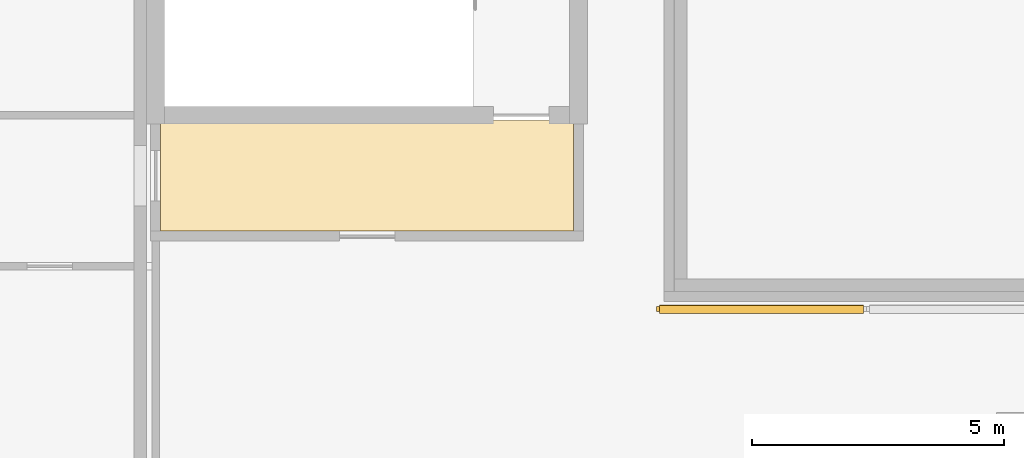
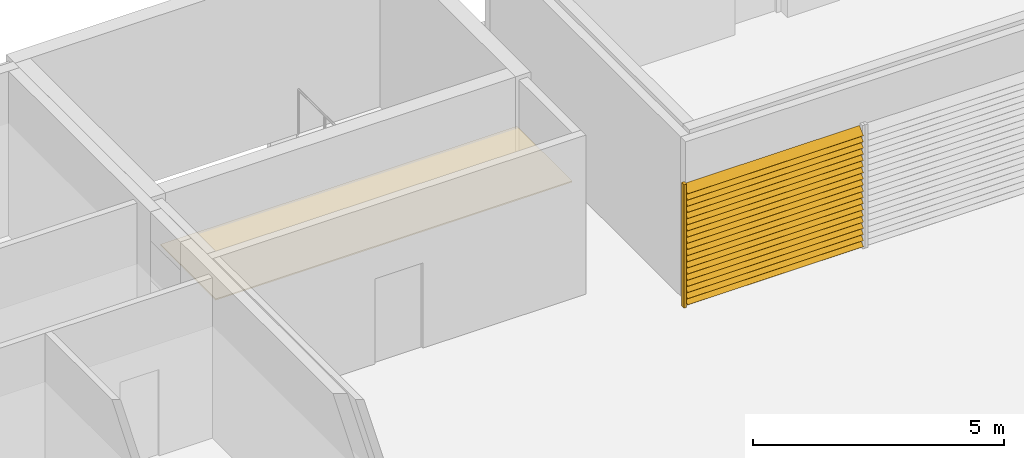
# One storey, part 10 of 13: 20 shading devices, 1 covering.
"""IFC4 building model written with IfcOpenShell, lengths in metres."""

import ifcopenshell
import ifcopenshell.guid

model = None  # the IFC model being written
_history = None  # IfcOwnerHistory: only IFC2X3 demands one
_inside = {}  # id of a spatial element -> (the spatial element, [elements in it])
_under = {}  # id of a project, library or spatial element -> (it, [spatial elements below it])
_declared = {}  # id of a project -> (the project, [libraries it declares])
_typed = {}  # id of a type object -> (the type object, [elements of that type])
_made_of = {}  # id of a material, layer set ... -> (it, [elements and type objects made of it])


def new_model(schema):
    """Start an empty IFC model of exactly this schema.

    Asked for "IFC4X3", IfcOpenShell would pick the latest addendum, in which some entities
    have other attributes; the version numbers below select the first issue.
    IFC2X3 requires an IfcOwnerHistory on every rooted entity: one is made here for all.
    """
    global model, _history
    if schema == "IFC4X3":
        model = ifcopenshell.file(schema_version=(4, 3, 0, 0))
    else:
        model = ifcopenshell.file(schema=schema)
    _inside.clear()
    _under.clear()
    _declared.clear()
    _typed.clear()
    _made_of.clear()
    _history = None
    if model.schema == "IFC2X3":
        org = make("IfcOrganization", Name="unknown")
        user = make(
            "IfcPersonAndOrganization",
            ThePerson=make("IfcPerson", FamilyName="unknown"),
            TheOrganization=org,
        )
        app = make(
            "IfcApplication",
            ApplicationDeveloper=org,
            Version="unknown",
            ApplicationFullName="unknown",
            ApplicationIdentifier="unknown",
        )
        _history = make(
            "IfcOwnerHistory",
            OwningUser=user,
            OwningApplication=app,
            ChangeAction="ADDED",
            CreationDate=0,
        )
    return model


def make(cls, **values):
    """One entity of the class cls with the attributes given. An attribute that is None is left unset."""
    return model.create_entity(
        cls, **{name: value for name, value in values.items() if value is not None}
    )


def rooted(cls, **values):
    """An entity with a GlobalId (a new one), such as an element, a storey or a relation."""
    return make(cls, GlobalId=ifcopenshell.guid.new(), OwnerHistory=_history, **values)


def si_unit(unit_type, name, prefix=None):
    """IfcSIUnit, for example si_unit("LENGTHUNIT", "METRE", prefix="MILLI")."""
    return make("IfcSIUnit", UnitType=unit_type, Prefix=prefix, Name=name)


def assignment(units):
    """IfcUnitAssignment: the units of a project."""
    return None if units is None else make("IfcUnitAssignment", Units=units)


def point(xyz):
    """IfcCartesianPoint."""
    return None if xyz is None else make("IfcCartesianPoint", Coordinates=xyz)


def direction(xyz):
    """IfcDirection."""
    return None if xyz is None else make("IfcDirection", DirectionRatios=xyz)


def frame(location, z_axis=None, x_axis=None):
    """IfcAxis2Placement3D, a coordinate frame: its origin and axes. An axis left out is left unset."""
    return make(
        "IfcAxis2Placement3D",
        Location=point(location),
        Axis=direction(z_axis),
        RefDirection=direction(x_axis),
    )


def frame_2d(location, x_axis=None):
    """IfcAxis2Placement2D, a coordinate frame in the plane: its origin and x axis."""
    return make(
        "IfcAxis2Placement2D", Location=point(location), RefDirection=direction(x_axis)
    )


def origin():
    """The frame at (0, 0, 0) with its axes left unset."""
    return frame((0.0, 0.0, 0.0))


def origin_2d():
    """The frame at (0, 0) in the plane with its x axis left unset."""
    return frame_2d((0.0, 0.0))


def place(relative_to, where):
    """IfcLocalPlacement: puts the frame where relative to a parent placement (None: the world)."""
    return make(
        "IfcLocalPlacement", PlacementRelTo=relative_to, RelativePlacement=where
    )


def context(
    kind, dimensions, precision=None, world=None, true_north=None, identifier=None
):
    """IfcGeometricRepresentationContext, for example the 3D "Model" context."""
    return make(
        "IfcGeometricRepresentationContext",
        ContextIdentifier=identifier,
        ContextType=kind,
        CoordinateSpaceDimension=dimensions,
        Precision=precision,
        WorldCoordinateSystem=world,
        TrueNorth=true_north,
    )


def subcontext(parent, identifier, kind, view, scale=None):
    """IfcGeometricRepresentationSubContext, for example "Body" below "Model"."""
    return make(
        "IfcGeometricRepresentationSubContext",
        ContextIdentifier=identifier,
        ContextType=kind,
        ParentContext=parent,
        TargetScale=scale,
        TargetView=view,
    )


def project(units=None, contexts=None):
    """IfcProject with its units and contexts."""
    return rooted(
        "IfcProject",
        Name="project",
        RepresentationContexts=contexts,
        UnitsInContext=assignment(units),
    )


def spatial(cls, under=None, at=None, **own):
    """A site, building, storey or space (cls), placed at a placement, below another one or the project."""
    s = rooted(cls, ObjectPlacement=at, **own)
    if under is not None:
        _under.setdefault(under.id(), (under, []))[1].append(s)
    return s


def polyline(points):
    """IfcPolyline through the points."""
    return make("IfcPolyline", Points=[point(p) for p in points])


def profile(cls, at=None, kind="AREA", **sizes):
    """A parametric profile (cls). Its sizes go by their IFC names, for example OverallWidth=200.0."""
    return make(cls, ProfileType=kind, Position=at, **sizes)


def rectangle(**sizes):
    """IfcRectangleProfileDef."""
    return profile("IfcRectangleProfileDef", **sizes)


def outline(outer, holes=None, kind="AREA"):
    """IfcArbitraryClosedProfileDef: a profile drawn as a closed curve; with holes, ...WithVoids."""
    if holes is None:
        return make("IfcArbitraryClosedProfileDef", ProfileType=kind, OuterCurve=outer)
    return make(
        "IfcArbitraryProfileDefWithVoids",
        ProfileType=kind,
        OuterCurve=outer,
        InnerCurves=holes,
    )


def extrude(swept, where, along, depth):
    """IfcExtrudedAreaSolid: the profile swept, set in the frame where, extruded along a direction by depth."""
    return make(
        "IfcExtrudedAreaSolid",
        SweptArea=swept,
        Position=where,
        ExtrudedDirection=direction(along),
        Depth=depth,
    )


def shape(context_of_items, identifier, shape_type, items):
    """IfcShapeRepresentation: the items that make up one representation, for example the "Body"."""
    return make(
        "IfcShapeRepresentation",
        ContextOfItems=context_of_items,
        RepresentationIdentifier=identifier,
        RepresentationType=shape_type,
        Items=items,
    )


def material(Name=None, Category=None):
    """IfcMaterial."""
    return make("IfcMaterial", Name=Name, Category=Category)


def layer(
    of_material, thickness, ventilated=None, Name=None, Category=None, Priority=None
):
    """IfcMaterialLayer: one layer of a wall or slab, of a material (None: an air gap)."""
    return make(
        "IfcMaterialLayer",
        Material=of_material,
        LayerThickness=thickness,
        IsVentilated=ventilated,
        Name=Name,
        Category=Category,
        Priority=Priority,
    )


def layer_set(layers, Name=None):
    """IfcMaterialLayerSet."""
    return make("IfcMaterialLayerSet", MaterialLayers=layers, LayerSetName=Name)


def material_profile(
    of_material, cross_section, Name=None, Category=None, Priority=None
):
    """IfcMaterialProfile: a cross section and its material."""
    return make(
        "IfcMaterialProfile",
        Name=Name,
        Material=of_material,
        Profile=cross_section,
        Priority=Priority,
        Category=Category,
    )


def profile_set(profiles, Name=None, composite=None):
    """IfcMaterialProfileSet."""
    return make(
        "IfcMaterialProfileSet",
        Name=Name,
        MaterialProfiles=profiles,
        CompositeProfile=composite,
    )


def made_of(thing, what):
    """Note that an element or type object is made of a material, layer set ...; save() writes the relation."""
    if what is not None:
        _made_of.setdefault(what.id(), (what, []))[1].append(thing)
    return thing


def type_object(cls, material=None, **own):
    """A type object (cls), such as IfcWallType, which elements share."""
    return made_of(rooted(cls, **own), material)


def element(
    cls,
    number,
    at=None,
    inside=None,
    cuts=None,
    type_object=None,
    material=None,
    context=None,
    identifier="Body",
    shape_type=None,
    held_by="IfcProductDefinitionShape",
    body=None,
    shapes=None,
    **own,
):
    """One element of the class cls, such as IfcWall. Its Tag is "e" and its number.

    at: its placement. inside: the storey or other place that contains it. cuts: it is an
    opening in that element (IfcRelVoidsElement). A single representation is given by context,
    identifier, shape_type and body (its items); several are given by shapes. held_by: the class
    of the entity that holds the representations. save() writes the other relations.
    """
    e = rooted(cls, Tag="e%d" % number, ObjectPlacement=at, **own)
    if body is not None:
        shapes = [shape(context, identifier, shape_type, body)]
    if shapes is not None:
        e.Representation = make(held_by, Representations=shapes)
    if inside is not None:
        _inside.setdefault(inside.id(), (inside, []))[1].append(e)
    if cuts is not None:
        rooted(
            "IfcRelVoidsElement", RelatingBuildingElement=cuts, RelatedOpeningElement=e
        )
    if type_object is not None:
        _typed.setdefault(type_object.id(), (type_object, []))[1].append(e)
    return made_of(e, material)


def aggregate(whole, parts):
    """IfcRelAggregates: a whole, such as a stair, and the parts it consists of."""
    return rooted("IfcRelAggregates", RelatingObject=whole, RelatedObjects=parts)


def save(model, path):
    """Write the relations noted so far, then the file.

    IfcRelAggregates (storeys below a building ...), IfcRelContainedInSpatialStructure (elements
    in a storey), IfcRelDefinesByType, IfcRelAssociatesMaterial and IfcRelDeclares: one each for
    every whole, place, type object, material and project.
    """
    for whole, parts in _under.values():
        aggregate(whole, parts)
    for where, things in _inside.values():
        rooted(
            "IfcRelContainedInSpatialStructure",
            RelatedElements=things,
            RelatingStructure=where,
        )
    for kind, things in _typed.values():
        rooted("IfcRelDefinesByType", RelatedObjects=things, RelatingType=kind)
    for what, things in _made_of.values():
        rooted("IfcRelAssociatesMaterial", RelatedObjects=things, RelatingMaterial=what)
    for by, libraries in _declared.values():
        rooted("IfcRelDeclares", RelatingContext=by, RelatedDefinitions=libraries)
    model.write(path)


model = new_model("IFC4")

# Units and contexts
model_context = context("Model", 3, precision=1e-05, world=origin(), true_north=direction((0.0, 1.0)))
body_context = subcontext(model_context, "Body", "Model", "MODEL_VIEW")
ifc_project = project(units=[si_unit("LENGTHUNIT", "METRE"), si_unit("AREAUNIT", "SQUARE_METRE"), si_unit("VOLUMEUNIT", "CUBIC_METRE"), si_unit("PLANEANGLEUNIT", "RADIAN"), si_unit("MASSUNIT", "GRAM", prefix="KILO")], contexts=[model_context])

# Site, building, storey
site_placement = place(None, origin())
site = spatial("IfcSite", under=ifc_project, at=site_placement, CompositionType="ELEMENT")
building_placement = place(site_placement, origin())
building = spatial("IfcBuilding", under=site, at=building_placement, Name="Bougainvillea Quay General Hospital", CompositionType="ELEMENT")
storey_placement = place(building_placement, frame((0.0, 0.0, 36.60009765625)))
storey = spatial("IfcBuildingStorey", under=building, at=storey_placement, Name="L08", CompositionType="ELEMENT", Elevation=36.60009765625)

# Shading devices
ifc_material_1 = material(Name="Extruded aluminium louvre frame, powder-coated grey", Category="aluminium")
ifc_material_profile_1 = material_profile(ifc_material_1, rectangle(XDim=0.10009765625, YDim=0.06005859375, at=origin_2d()))
ifc_profile_set_1 = profile_set([ifc_material_profile_1], Name="Extruded aluminium louvre frame, powder-coated grey")
shading_device_type_1 = type_object("IfcShadingDeviceType", Name="Louvre frame post 100x60", PredefinedType="JALOUSIE", material=ifc_profile_set_1)
shading_device_placement = place(storey_placement, frame((144.3798828125, 150.35009765625, 0.02978515625), z_axis=(0.0, 0.0, 1.0), x_axis=(0.0, 1.0, 0.0)))
element("IfcShadingDevice", 1, at=shading_device_placement, inside=storey, type_object=shading_device_type_1, Name="Louvre post V00.1", PredefinedType="JALOUSIE", context=body_context, shape_type="SweptSolid", body=[
    extrude(rectangle(XDim=0.10009765625, YDim=0.06005859375, at=origin_2d()), origin(), (0.0, 0.0, 1.0), 3.0),
])
ifc_material_2 = material(Name="Extruded aluminium storm louvre blade, powder-coated grey", Category="aluminium")
ifc_material_profile_2 = material_profile(ifc_material_2, rectangle(XDim=0.219970703125, YDim=0.014892578125, at=origin_2d()))
ifc_profile_set_2 = profile_set([ifc_material_profile_2], Name="Extruded aluminium storm louvre blade, powder-coated grey")
shading_device_type_2 = type_object("IfcShadingDeviceType", Name="Storm louvre blade 220", PredefinedType="JALOUSIE", material=ifc_profile_set_2)
for number, where, z_axis, x_axis, name in (
    (2, (144.409912109375, 150.35009765625, 0.179931640625), (1.0, 0.0, 0.0), (0.0, 0.707106781187, 0.707106781187), "Storm louvre blade V00.1"),
    (3, (144.409912109375, 150.35009765625, 0.329833984375), (1.0, 0.0, 0.0), (0.0, 0.707106781187, 0.707106781187), "Storm louvre blade V00.2"),
    (4, (144.409912109375, 150.35009765625, 0.47998046875), (1.0, 0.0, 0.0), (0.0, 0.707106781187, 0.707106781187), "Storm louvre blade V00.3"),
    (5, (144.409912109375, 150.35009765625, 0.6298828125), (1.0, 0.0, 0.0), (0.0, 0.707106781187, 0.707106781187), "Storm louvre blade V00.4"),
    (6, (144.409912109375, 150.35009765625, 0.77978515625), (1.0, 0.0, 0.0), (0.0, 0.707106781187, 0.707106781187), "Storm louvre blade V00.5"),
    (7, (144.409912109375, 150.35009765625, 0.929931640625), (1.0, 0.0, 0.0), (0.0, 0.707106781187, 0.707106781187), "Storm louvre blade V00.6"),
    (8, (144.409912109375, 150.35009765625, 1.079833984375), (1.0, 0.0, 0.0), (0.0, 0.707106781187, 0.707106781187), "Storm louvre blade V00.7"),
    (9, (144.409912109375, 150.35009765625, 1.22998046875), (1.0, 0.0, 0.0), (0.0, 0.707106781187, 0.707106781187), "Storm louvre blade V00.8"),
    (10, (144.409912109375, 150.35009765625, 1.3798828125), (1.0, 0.0, 0.0), (0.0, 0.707106781187, 0.707106781187), "Storm louvre blade V00.9"),
    (11, (144.409912109375, 150.35009765625, 1.52978515625), (1.0, 0.0, 0.0), (0.0, 0.707106781187, 0.707106781187), "Storm louvre blade V00.10"),
    (12, (144.409912109375, 150.35009765625, 1.679931640625), (1.0, 0.0, 0.0), (0.0, 0.707106781187, 0.707106781187), "Storm louvre blade V00.11"),
    (13, (144.409912109375, 150.35009765625, 1.829833984375), (1.0, 0.0, 0.0), (0.0, 0.707106781187, 0.707106781187), "Storm louvre blade V00.12"),
    (14, (144.409912109375, 150.35009765625, 1.97998046875), (1.0, 0.0, 0.0), (0.0, 0.707106781187, 0.707106781187), "Storm louvre blade V00.13"),
    (15, (144.409912109375, 150.35009765625, 2.1298828125), (1.0, 0.0, 0.0), (0.0, 0.707106781187, 0.707106781187), "Storm louvre blade V00.14"),
    (16, (144.409912109375, 150.35009765625, 2.27978515625), (1.0, 0.0, 0.0), (0.0, 0.707106781187, 0.707106781187), "Storm louvre blade V00.15"),
    (17, (144.409912109375, 150.35009765625, 2.429931640625), (1.0, 0.0, 0.0), (0.0, 0.707106781187, 0.707106781187), "Storm louvre blade V00.16"),
    (18, (144.409912109375, 150.35009765625, 2.579833984375), (1.0, 0.0, 0.0), (0.0, 0.707106781187, 0.707106781187), "Storm louvre blade V00.17"),
    (19, (144.409912109375, 150.35009765625, 2.72998046875), (1.0, 0.0, 0.0), (0.0, 0.707106781187, 0.707106781187), "Storm louvre blade V00.18"),
    (20, (144.409912109375, 150.35009765625, 2.8798828125), (1.0, 0.0, 0.0), (0.0, 0.707106781187, 0.707106781187), "Storm louvre blade V00.19"),
):
    element("IfcShadingDevice", number, at=place(storey_placement, frame(where, z_axis=z_axis, x_axis=x_axis)), inside=storey, type_object=shading_device_type_2, Name=name, PredefinedType="JALOUSIE", context=body_context, shape_type="SweptSolid", body=[
        extrude(rectangle(XDim=0.219970703125, YDim=0.014892578125, at=origin_2d()), origin(), (0.0, 0.0, 1.0), 4.046875),
    ])

# Covering
ifc_material_3 = material(Name="Mineral fibre ceiling tile")
ifc_layer = layer(ifc_material_3, 0.030029296875)
ifc_layer_set = layer_set([ifc_layer], Name="Mineral fibre ceiling tile")
covering_type = type_object("IfcCoveringType", Name="Suspended ceiling mineral fibre tile", PredefinedType="CEILING", material=ifc_layer_set)
covering_placement = place(storey_placement, frame((0.0, 0.0, 2.699951171875)))
element("IfcCovering", 21, at=covering_placement, inside=storey, type_object=covering_type, Name="Ceiling Smoke-proof Vestibule ST-A3", PredefinedType="CEILING", context=body_context, shape_type="SweptSolid", body=[
    extrude(outline(polyline([(142.699951171875, 154.10009765625), (134.5, 154.10009765625), (134.5, 151.89990234375), (142.699951171875, 151.89990234375), (142.699951171875, 154.10009765625)])), origin(), (0.0, 0.0, 1.0), 0.030029296875),
])

save(model, "model.ifc")
